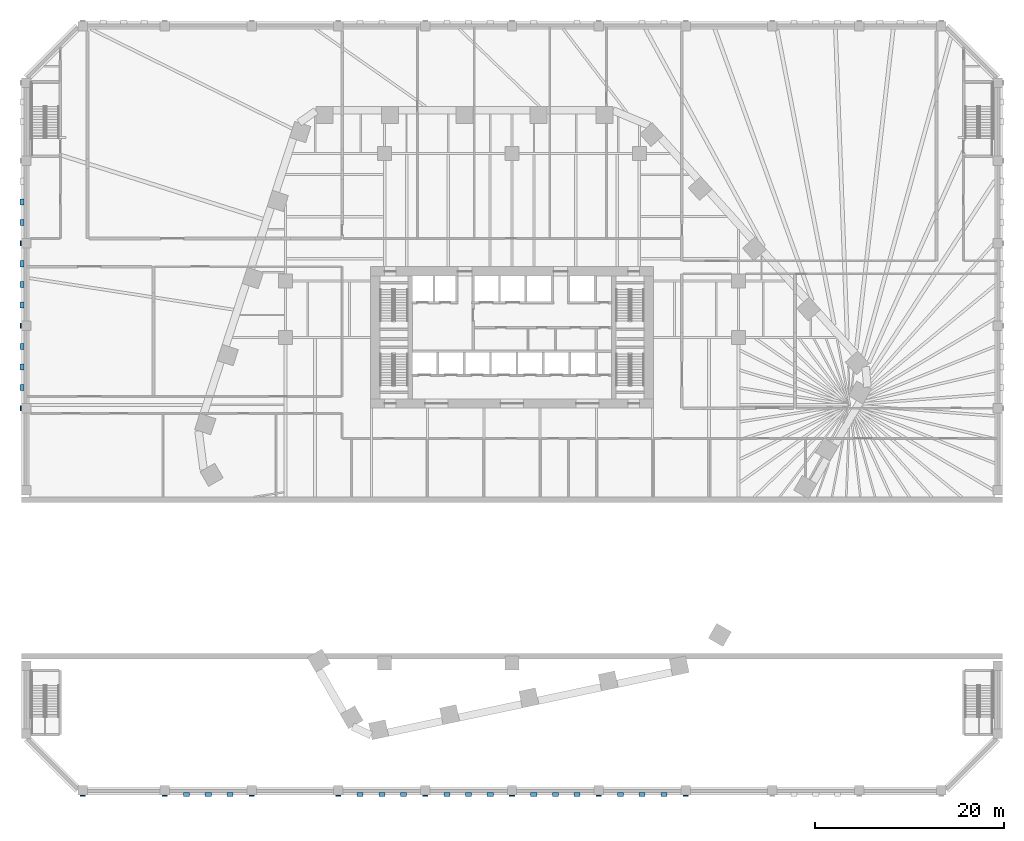
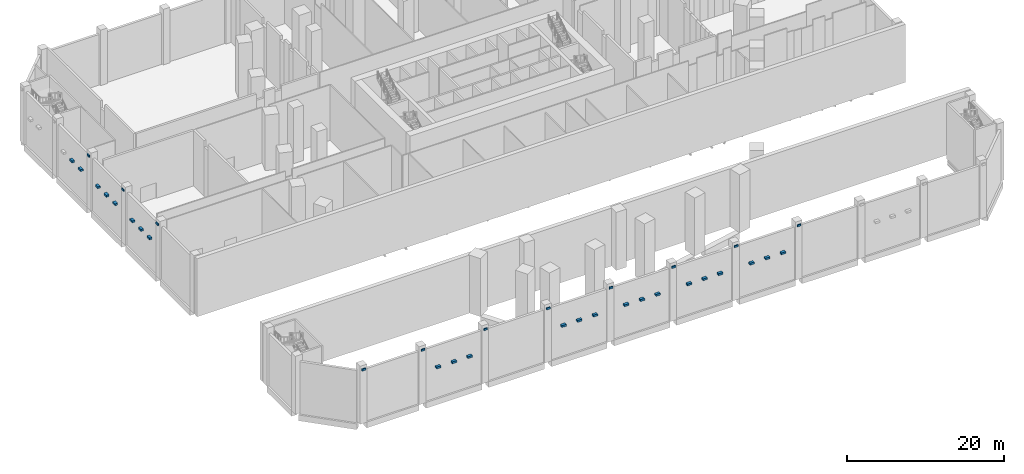
# One storey, part 15 of 23: 34 discrete accessories.
"""IFC4 building model written with IfcOpenShell, lengths in metres."""

from ifc_helpers import new_model, si_unit, direction, frame, origin, origin_2d, place, context, subcontext, project, spatial, rectangle, extrude, material, type_object, element, save


model = new_model("IFC4")

# Units and contexts
model_context = context("Model", 3, precision=1e-05, world=origin(), true_north=direction((0.0, 1.0)))
body_context = subcontext(model_context, "Body", "Model", "MODEL_VIEW")
ifc_project = project(units=[si_unit("LENGTHUNIT", "METRE"), si_unit("AREAUNIT", "SQUARE_METRE"), si_unit("VOLUMEUNIT", "CUBIC_METRE"), si_unit("PLANEANGLEUNIT", "RADIAN"), si_unit("MASSUNIT", "GRAM", prefix="KILO")], contexts=[model_context])

# Site, building, storey
site_placement = place(None, origin())
site = spatial("IfcSite", under=ifc_project, at=site_placement, CompositionType="ELEMENT")
building_placement = place(site_placement, origin())
building = spatial("IfcBuilding", under=site, at=building_placement, Name="Isthmus Gate Tower", CompositionType="ELEMENT")
storey_placement = place(building_placement, frame((0.0, 0.0, 9.0)))
storey = spatial("IfcBuildingStorey", under=building, at=storey_placement, Name="L01", CompositionType="ELEMENT", Elevation=9.0)

# Discrete accessories
ifc_material_1 = material(Name="Structural steel ASTM A572 Gr 50, white paint system", Category="steel")
discrete_accessory_type_1 = type_object("IfcDiscreteAccessoryType", Name="FIN BRACKET 544 X 150 X 300", PredefinedType="BRACKET", material=ifc_material_1)
for number, where, z_axis, x_axis, name in (
    (1, (-45.5, -41.074951171875, 7.85009765625), (0.0, 0.0, 1.0), (0.0, -1.0, 0.0), "FIN BRACKET"),
    (2, (-36.800048828125, -41.074951171875, 7.85009765625), (0.0, 0.0, 1.0), (0.0, -1.0, 0.0), "FIN BRACKET"),
    (3, (-27.60009765625, -41.074951171875, 7.85009765625), (0.0, 0.0, 1.0), (0.0, -1.0, 0.0), "FIN BRACKET"),
    (4, (-18.39990234375, -41.074951171875, 7.85009765625), (0.0, 0.0, 1.0), (0.0, -1.0, 0.0), "FIN BRACKET"),
    (5, (-9.199951171875, -41.074951171875, 7.85009765625), (0.0, 0.0, 1.0), (0.0, -1.0, 0.0), "FIN BRACKET"),
    (6, (0.0, -41.074951171875, 7.85009765625), (0.0, 0.0, 1.0), (0.0, -1.0, 0.0), "FIN BRACKET"),
    (7, (9.199951171875, -41.074951171875, 7.85009765625), (0.0, 0.0, 1.0), (0.0, -1.0, 0.0), "FIN BRACKET"),
    (8, (18.39990234375, -41.074951171875, 7.85009765625), (0.0, 0.0, 1.0), (0.0, -1.0, 0.0), "FIN BRACKET"),
    (9, (-52.074951171875, 17.5, 7.85009765625), (0.0, 0.0, 1.0), (-1.0, 0.0, 0.0), "FIN BRACKET"),
    (10, (-52.074951171875, 8.75, 7.85009765625), (0.0, 0.0, 1.0), (-1.0, 0.0, 0.0), "FIN BRACKET"),
    (11, (-52.074951171875, 0.0, 7.85009765625), (0.0, 0.0, 1.0), (-1.0, 0.0, 0.0), "FIN BRACKET"),
):
    element("IfcDiscreteAccessory", number, at=place(storey_placement, frame(where, z_axis=z_axis, x_axis=x_axis)), inside=storey, type_object=discrete_accessory_type_1, Name=name, PredefinedType="BRACKET", context=body_context, shape_type="SweptSolid", body=[
        extrude(rectangle(XDim=0.14990234375, YDim=0.54443359375, at=origin_2d()), origin(), (0.0, 0.0, 1.0), 0.300048828125),
    ])
ifc_material_2 = material(Name="Structural steel ASTM A572 Gr 50, white paint system", Category="steel")
discrete_accessory_type_2 = type_object("IfcDiscreteAccessoryType", Name="FIN BRACKET 647 X 400 X 300", PredefinedType="BRACKET", material=ifc_material_2)
for number, where, z_axis, x_axis, name in (
    (12, (-34.5, -40.949951171875, 4.35009765625), (0.0, 0.0, 1.0), (0.0, -1.0, 0.0), "FIN BRACKET"),
    (13, (-32.199951171875, -40.949951171875, 4.35009765625), (0.0, 0.0, 1.0), (0.0, -1.0, 0.0), "FIN BRACKET"),
    (14, (-29.89990234375, -40.949951171875, 4.35009765625), (0.0, 0.0, 1.0), (0.0, -1.0, 0.0), "FIN BRACKET"),
    (15, (-16.10009765625, -40.949951171875, 4.35009765625), (0.0, 0.0, 1.0), (0.0, -1.0, 0.0), "FIN BRACKET"),
    (16, (-13.800048828125, -40.949951171875, 4.35009765625), (0.0, 0.0, 1.0), (0.0, -1.0, 0.0), "FIN BRACKET"),
    (17, (-11.5, -40.949951171875, 4.35009765625), (0.0, 0.0, 1.0), (0.0, -1.0, 0.0), "FIN BRACKET"),
    (18, (-6.89990234375, -40.949951171875, 4.35009765625), (0.0, 0.0, 1.0), (0.0, -1.0, 0.0), "FIN BRACKET"),
    (19, (-4.60009765625, -40.949951171875, 4.35009765625), (0.0, 0.0, 1.0), (0.0, -1.0, 0.0), "FIN BRACKET"),
    (20, (-2.300048828125, -40.949951171875, 4.35009765625), (0.0, 0.0, 1.0), (0.0, -1.0, 0.0), "FIN BRACKET"),
    (21, (2.300048828125, -40.949951171875, 4.35009765625), (0.0, 0.0, 1.0), (0.0, -1.0, 0.0), "FIN BRACKET"),
    (22, (4.60009765625, -40.949951171875, 4.35009765625), (0.0, 0.0, 1.0), (0.0, -1.0, 0.0), "FIN BRACKET"),
    (23, (6.89990234375, -40.949951171875, 4.35009765625), (0.0, 0.0, 1.0), (0.0, -1.0, 0.0), "FIN BRACKET"),
    (24, (11.5, -40.949951171875, 4.35009765625), (0.0, 0.0, 1.0), (0.0, -1.0, 0.0), "FIN BRACKET"),
    (25, (13.800048828125, -40.949951171875, 4.35009765625), (0.0, 0.0, 1.0), (0.0, -1.0, 0.0), "FIN BRACKET"),
    (26, (16.10009765625, -40.949951171875, 4.35009765625), (0.0, 0.0, 1.0), (0.0, -1.0, 0.0), "FIN BRACKET"),
    (27, (-51.949951171875, 21.875, 4.35009765625), (0.0, 0.0, 1.0), (-1.0, 0.0, 0.0), "FIN BRACKET"),
    (28, (-51.949951171875, 19.6875, 4.35009765625), (0.0, 0.0, 1.0), (-1.0, 0.0, 0.0), "FIN BRACKET"),
    (29, (-51.949951171875, 15.3125, 4.35009765625), (0.0, 0.0, 1.0), (-1.0, 0.0, 0.0), "FIN BRACKET"),
    (30, (-51.949951171875, 13.125, 4.35009765625), (0.0, 0.0, 1.0), (-1.0, 0.0, 0.0), "FIN BRACKET"),
    (31, (-51.949951171875, 10.9375, 4.35009765625), (0.0, 0.0, 1.0), (-1.0, 0.0, 0.0), "FIN BRACKET"),
    (32, (-51.949951171875, 6.5625, 4.35009765625), (0.0, 0.0, 1.0), (-1.0, 0.0, 0.0), "FIN BRACKET"),
    (33, (-51.949951171875, 4.375, 4.35009765625), (0.0, 0.0, 1.0), (-1.0, 0.0, 0.0), "FIN BRACKET"),
    (34, (-51.949951171875, 2.1875, 4.35009765625), (0.0, 0.0, 1.0), (-1.0, 0.0, 0.0), "FIN BRACKET"),
):
    element("IfcDiscreteAccessory", number, at=place(storey_placement, frame(where, z_axis=z_axis, x_axis=x_axis)), inside=storey, type_object=discrete_accessory_type_2, Name=name, PredefinedType="BRACKET", context=body_context, shape_type="SweptSolid", body=[
        extrude(rectangle(XDim=0.39990234375, YDim=0.64697265625, at=origin_2d()), origin(), (0.0, 0.0, 1.0), 0.300048828125),
    ])

save(model, "model.ifc")
